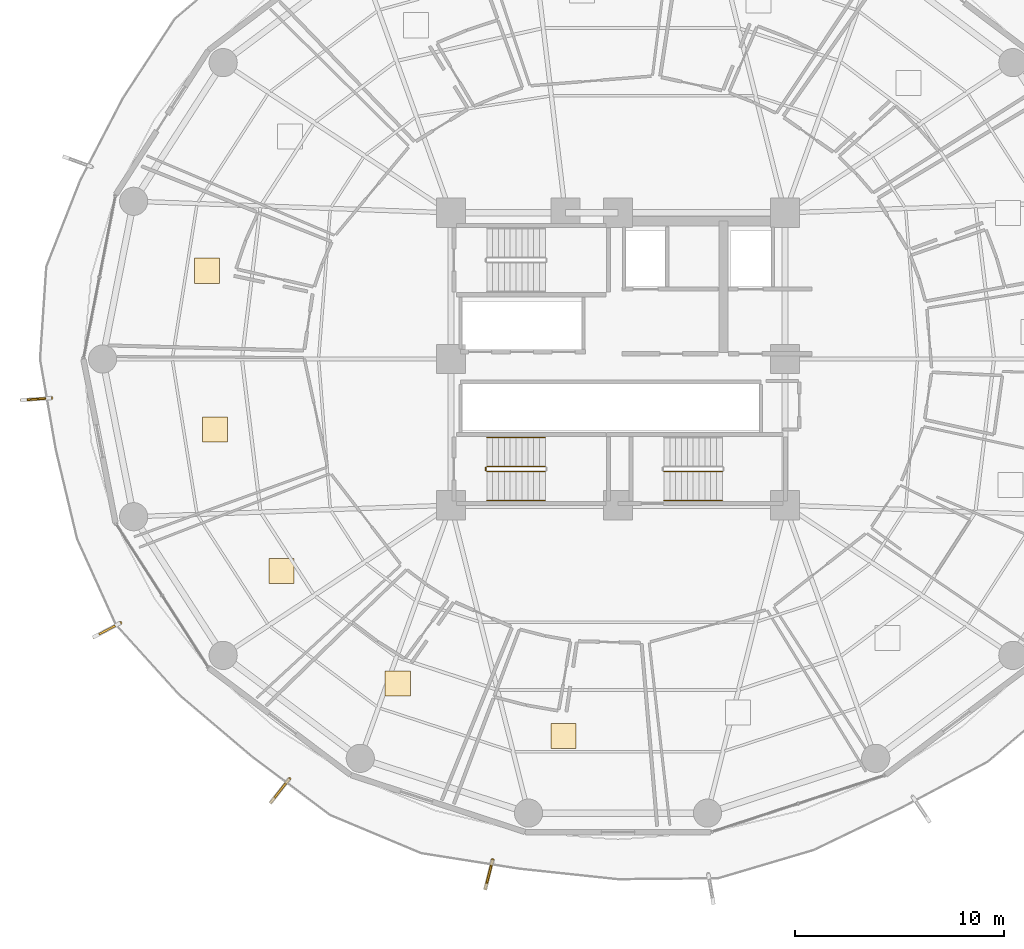
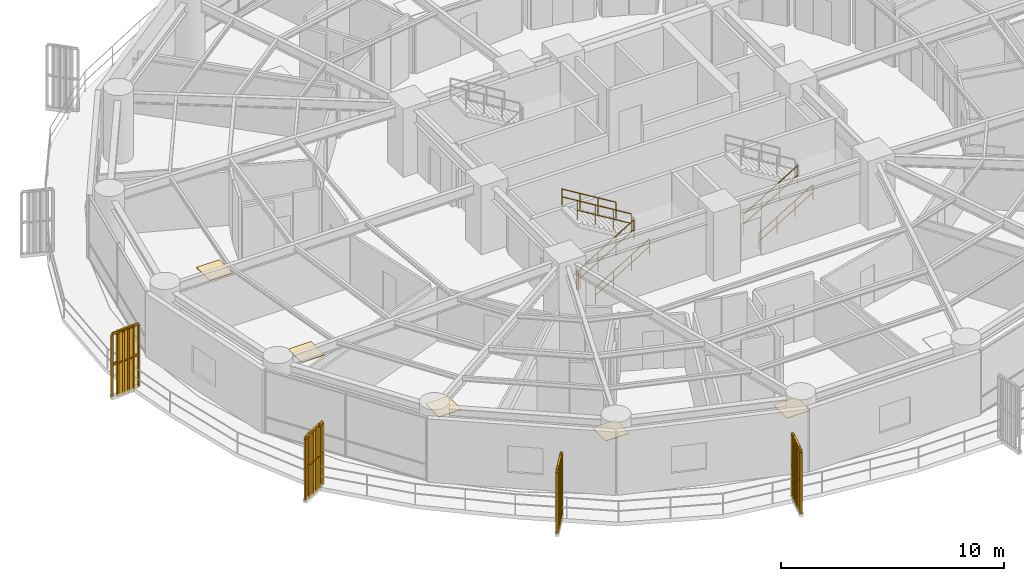
# One storey, part 31 of 34: 11 railings, 5 coverings, 4 shading devices.
"""IFC4 building model written with IfcOpenShell, lengths in metres."""

from ifc_helpers import new_model, si_unit, direction, frame, origin, origin_2d, place, context, subcontext, project, spatial, polyline, rectangle, outline, extrude, source, transform, mapped, material, layer, layer_set, type_object, element, save


model = new_model("IFC4")

# Units and contexts
model_context = context("Model", 3, precision=1e-05, world=origin(), true_north=direction((0.0, 1.0)))
body_context = subcontext(model_context, "Body", "Model", "MODEL_VIEW")
ifc_project = project(units=[si_unit("LENGTHUNIT", "METRE"), si_unit("AREAUNIT", "SQUARE_METRE"), si_unit("VOLUMEUNIT", "CUBIC_METRE"), si_unit("PLANEANGLEUNIT", "RADIAN"), si_unit("MASSUNIT", "GRAM", prefix="KILO")], contexts=[model_context])

# Site, building, storey
site_placement = place(None, origin())
site = spatial("IfcSite", under=ifc_project, at=site_placement, CompositionType="ELEMENT")
building_placement = place(site_placement, origin())
building = spatial("IfcBuilding", under=site, at=building_placement, Name="Kelanora Arch Commons", CompositionType="ELEMENT")
storey_placement = place(building_placement, frame((0.0, 0.0, 76.35009765625)))
storey = spatial("IfcBuildingStorey", under=building, at=storey_placement, Name="L19", CompositionType="ELEMENT", Elevation=76.35009765625)

# Railings
ifc_material_1 = material(Name="Anodised bronze vertical shading fin rib assembly")
railing_type_1 = type_object("IfcRailingType", Name="RAIL-FIN-BRZ", PredefinedType="BALUSTRADE", material=ifc_material_1)
railing_1_placement = place(storey_placement, frame((46.872314453125, 56.129638671875, -0.02001953125)))
element("IfcRailing", 1, at=railing_1_placement, inside=storey, type_object=railing_type_1, Name="Sweeping Bronze Vertical Fin Blade L19-06", PredefinedType="BALUSTRADE", context=body_context, shape_type="SweptSolid", body=[
    extrude(outline(polyline([(0.06982421875, 0.0), (0.034912109375, 0.060546875), (-0.034912109375, 0.060546875), (-0.06982421875, 0.0), (-0.034912109375, -0.060546875), (0.034912109375, -0.060546875), (0.06982421875, 0.0)])), frame((0.0, 0.0, 3.419921875), z_axis=(-0.997630732454, -0.068796232919, 0.0), x_axis=(0.068796232919, -0.997630732454, 0.0)), (0.0, 0.0, 1.0), 1.43017578125),
    extrude(outline(polyline([(0.06982421875, 0.0), (0.034912109375, 0.060546875), (-0.034912109375, 0.060546875), (-0.06982421875, 0.0), (-0.034912109375, -0.060546875), (0.034912109375, -0.060546875), (0.06982421875, 0.0)])), frame((0.0, 0.0, 1.7451171875), z_axis=(-0.997630732454, -0.068796232919, 0.0), x_axis=(0.068796232919, -0.997630732454, 0.0)), (0.0, 0.0, 1.0), 1.43017578125),
    extrude(outline(polyline([(0.080078125, 0.0), (0.0400390625, 0.0693359375), (-0.0400390625, 0.0693359375), (-0.080078125, 0.0), (-0.0400390625, -0.0693359375), (0.0400390625, -0.0693359375), (0.080078125, 0.0)])), origin(), (0.0, 0.0, 1.0), 3.35009765625),
    extrude(outline(polyline([(0.080078125, 0.0), (0.0400390625, 0.0693359375), (-0.0400390625, 0.0693359375), (-0.080078125, 0.0), (-0.0400390625, -0.0693359375), (0.0400390625, -0.0693359375), (0.080078125, 0.0)])), frame((-0.285400390625, -0.019775390625, 0.0)), (0.0, 0.0, 1.0), 3.35009765625),
    extrude(outline(polyline([(0.080078125, 0.0), (0.0400390625, 0.0693359375), (-0.0400390625, 0.0693359375), (-0.080078125, 0.0), (-0.0400390625, -0.0693359375), (0.0400390625, -0.0693359375), (0.080078125, 0.0)])), frame((-0.57080078125, -0.039306640625, 0.0)), (0.0, 0.0, 1.0), 3.35009765625),
    extrude(outline(polyline([(0.080078125, 0.0), (0.0400390625, 0.0693359375), (-0.0400390625, 0.0693359375), (-0.080078125, 0.0), (-0.0400390625, -0.0693359375), (0.0400390625, -0.0693359375), (0.080078125, 0.0)])), frame((-0.85595703125, -0.05908203125, 0.0)), (0.0, 0.0, 1.0), 3.35009765625),
    extrude(outline(polyline([(0.080078125, 0.0), (0.0400390625, 0.0693359375), (-0.0400390625, 0.0693359375), (-0.080078125, 0.0), (-0.0400390625, -0.0693359375), (0.0400390625, -0.0693359375), (0.080078125, 0.0)])), frame((-1.141357421875, -0.07861328125, 0.0)), (0.0, 0.0, 1.0), 3.35009765625),
    extrude(outline(polyline([(0.080078125, 0.0), (0.0400390625, 0.0693359375), (-0.0400390625, 0.0693359375), (-0.080078125, 0.0), (-0.0400390625, -0.0693359375), (0.0400390625, -0.0693359375), (0.080078125, 0.0)])), frame((-1.4267578125, -0.098388671875, 0.0)), (0.0, 0.0, 1.0), 3.35009765625),
])
railing_2_placement = place(storey_placement, frame((50.172119140625, 45.3603515625, -0.02001953125)))
element("IfcRailing", 2, at=railing_2_placement, inside=storey, type_object=railing_type_1, Name="Sweeping Bronze Vertical Fin Blade L19-07", PredefinedType="BALUSTRADE", context=body_context, shape_type="SweptSolid", body=[
    extrude(outline(polyline([(0.06982421875, 0.0), (0.034912109375, 0.060546875), (-0.034912109375, 0.060546875), (-0.06982421875, 0.0), (-0.034912109375, -0.060546875), (0.034912109375, -0.060546875), (0.06982421875, 0.0)])), frame((0.0, 0.0, 3.419921875), z_axis=(-0.88341392232, -0.468593471839, 0.0), x_axis=(0.468593471839, -0.88341392232, 0.0)), (0.0, 0.0, 1.0), 1.43017578125),
    extrude(outline(polyline([(0.06982421875, 0.0), (0.034912109375, 0.060546875), (-0.034912109375, 0.060546875), (-0.06982421875, 0.0), (-0.034912109375, -0.060546875), (0.034912109375, -0.060546875), (0.06982421875, 0.0)])), frame((0.0, 0.0, 1.7451171875), z_axis=(-0.88341392232, -0.468593471839, 0.0), x_axis=(0.468593471839, -0.88341392232, 0.0)), (0.0, 0.0, 1.0), 1.43017578125),
    extrude(outline(polyline([(0.080078125, 0.0), (0.0400390625, 0.0693359375), (-0.0400390625, 0.0693359375), (-0.080078125, 0.0), (-0.0400390625, -0.0693359375), (0.0400390625, -0.0693359375), (0.080078125, 0.0)])), origin(), (0.0, 0.0, 1.0), 3.35009765625),
    extrude(outline(polyline([(0.080078125, 0.0), (0.0400390625, 0.0693359375), (-0.0400390625, 0.0693359375), (-0.080078125, 0.0), (-0.0400390625, -0.0693359375), (0.0400390625, -0.0693359375), (0.080078125, 0.0)])), frame((-0.252685546875, -0.134033203125, 0.0)), (0.0, 0.0, 1.0), 3.35009765625),
    extrude(outline(polyline([(0.080078125, 0.0), (0.0400390625, 0.0693359375), (-0.0400390625, 0.0693359375), (-0.080078125, 0.0), (-0.0400390625, -0.0693359375), (0.0400390625, -0.0693359375), (0.080078125, 0.0)])), frame((-0.50537109375, -0.26806640625, 0.0)), (0.0, 0.0, 1.0), 3.35009765625),
    extrude(outline(polyline([(0.080078125, 0.0), (0.0400390625, 0.0693359375), (-0.0400390625, 0.0693359375), (-0.080078125, 0.0), (-0.0400390625, -0.0693359375), (0.0400390625, -0.0693359375), (0.080078125, 0.0)])), frame((-0.758056640625, -0.402099609375, 0.0)), (0.0, 0.0, 1.0), 3.35009765625),
    extrude(outline(polyline([(0.080078125, 0.0), (0.0400390625, 0.0693359375), (-0.0400390625, 0.0693359375), (-0.080078125, 0.0), (-0.0400390625, -0.0693359375), (0.0400390625, -0.0693359375), (0.080078125, 0.0)])), frame((-1.0107421875, -0.5361328125, 0.0)), (0.0, 0.0, 1.0), 3.35009765625),
    extrude(outline(polyline([(0.080078125, 0.0), (0.0400390625, 0.0693359375), (-0.0400390625, 0.0693359375), (-0.080078125, 0.0), (-0.0400390625, -0.0693359375), (0.0400390625, -0.0693359375), (0.080078125, 0.0)])), frame((-1.263427734375, -0.670166015625, 0.0)), (0.0, 0.0, 1.0), 3.35009765625),
])
railing_3_placement = place(storey_placement, frame((58.265869140625, 37.901611328125, -0.02001953125)))
element("IfcRailing", 3, at=railing_3_placement, inside=storey, type_object=railing_type_1, Name="Sweeping Bronze Vertical Fin Blade L19-08", PredefinedType="BALUSTRADE", context=body_context, shape_type="SweptSolid", body=[
    extrude(outline(polyline([(0.06982421875, 0.0), (0.034912109375, 0.060546875), (-0.034912109375, 0.060546875), (-0.06982421875, 0.0), (-0.034912109375, -0.060546875), (0.034912109375, -0.060546875), (0.06982421875, 0.0)])), frame((0.0, 0.0, 3.419921875), z_axis=(-0.616478569352, -0.787371687026, 0.0), x_axis=(0.787371687026, -0.616478569352, 0.0)), (0.0, 0.0, 1.0), 1.429931640625),
    extrude(outline(polyline([(0.06982421875, 0.0), (0.034912109375, 0.060546875), (-0.034912109375, 0.060546875), (-0.06982421875, 0.0), (-0.034912109375, -0.060546875), (0.034912109375, -0.060546875), (0.06982421875, 0.0)])), frame((0.0, 0.0, 1.7451171875), z_axis=(-0.616478569352, -0.787371687026, 0.0), x_axis=(0.787371687026, -0.616478569352, 0.0)), (0.0, 0.0, 1.0), 1.429931640625),
    extrude(outline(polyline([(0.080078125, 0.0), (0.0400390625, 0.0693359375), (-0.0400390625, 0.0693359375), (-0.080078125, 0.0), (-0.0400390625, -0.0693359375), (0.0400390625, -0.0693359375), (0.080078125, 0.0)])), origin(), (0.0, 0.0, 1.0), 3.35009765625),
    extrude(outline(polyline([(0.080078125, 0.0), (0.0400390625, 0.0693359375), (-0.0400390625, 0.0693359375), (-0.080078125, 0.0), (-0.0400390625, -0.0693359375), (0.0400390625, -0.0693359375), (0.080078125, 0.0)])), frame((-0.17626953125, -0.22509765625, 0.0)), (0.0, 0.0, 1.0), 3.35009765625),
    extrude(outline(polyline([(0.080078125, 0.0), (0.0400390625, 0.0693359375), (-0.0400390625, 0.0693359375), (-0.080078125, 0.0), (-0.0400390625, -0.0693359375), (0.0400390625, -0.0693359375), (0.080078125, 0.0)])), frame((-0.3525390625, -0.450439453125, 0.0)), (0.0, 0.0, 1.0), 3.35009765625),
    extrude(outline(polyline([(0.080078125, 0.0), (0.0400390625, 0.0693359375), (-0.0400390625, 0.0693359375), (-0.080078125, 0.0), (-0.0400390625, -0.0693359375), (0.0400390625, -0.0693359375), (0.080078125, 0.0)])), frame((-0.529052734375, -0.675537109375, 0.0)), (0.0, 0.0, 1.0), 3.35009765625),
    extrude(outline(polyline([(0.080078125, 0.0), (0.0400390625, 0.0693359375), (-0.0400390625, 0.0693359375), (-0.080078125, 0.0), (-0.0400390625, -0.0693359375), (0.0400390625, -0.0693359375), (0.080078125, 0.0)])), frame((-0.705322265625, -0.90087890625, 0.0)), (0.0, 0.0, 1.0), 3.35009765625),
    extrude(outline(polyline([(0.080078125, 0.0), (0.0400390625, 0.0693359375), (-0.0400390625, 0.0693359375), (-0.080078125, 0.0), (-0.0400390625, -0.0693359375), (0.0400390625, -0.0693359375), (0.080078125, 0.0)])), frame((-0.881591796875, -1.1259765625, 0.0)), (0.0, 0.0, 1.0), 3.35009765625),
])
railing_4_placement = place(storey_placement, frame((67.996826171875, 34.0224609375, -0.02001953125)))
element("IfcRailing", 4, at=railing_4_placement, inside=storey, type_object=railing_type_1, Name="Sweeping Bronze Vertical Fin Blade L19-09", PredefinedType="BALUSTRADE", context=body_context, shape_type="SweptSolid", body=[
    extrude(outline(polyline([(0.06982421875, 0.0), (0.034912109375, 0.060546875), (-0.034912109375, 0.060546875), (-0.06982421875, 0.0), (-0.034912109375, -0.060546875), (0.034912109375, -0.060546875), (0.06982421875, 0.0)])), frame((0.0, 0.0, 3.419921875), z_axis=(-0.242977541578, -0.970031914057, 0.0), x_axis=(0.970031914057, -0.242977541578, 0.0)), (0.0, 0.0, 1.0), 1.429931640625),
    extrude(outline(polyline([(0.06982421875, 0.0), (0.034912109375, 0.060546875), (-0.034912109375, 0.060546875), (-0.06982421875, 0.0), (-0.034912109375, -0.060546875), (0.034912109375, -0.060546875), (0.06982421875, 0.0)])), frame((0.0, 0.0, 1.7451171875), z_axis=(-0.242977541578, -0.970031914057, 0.0), x_axis=(0.970031914057, -0.242977541578, 0.0)), (0.0, 0.0, 1.0), 1.429931640625),
    extrude(outline(polyline([(0.080078125, 0.0), (0.0400390625, 0.0693359375), (-0.0400390625, 0.0693359375), (-0.080078125, 0.0), (-0.0400390625, -0.0693359375), (0.0400390625, -0.0693359375), (0.080078125, 0.0)])), origin(), (0.0, 0.0, 1.0), 3.35009765625),
    extrude(outline(polyline([(0.080078125, 0.0), (0.0400390625, 0.0693359375), (-0.0400390625, 0.0693359375), (-0.080078125, 0.0), (-0.0400390625, -0.0693359375), (0.0400390625, -0.0693359375), (0.080078125, 0.0)])), frame((-0.069580078125, -0.27734375, 0.0)), (0.0, 0.0, 1.0), 3.35009765625),
    extrude(outline(polyline([(0.080078125, 0.0), (0.0400390625, 0.0693359375), (-0.0400390625, 0.0693359375), (-0.080078125, 0.0), (-0.0400390625, -0.0693359375), (0.0400390625, -0.0693359375), (0.080078125, 0.0)])), frame((-0.138916015625, -0.5546875, 0.0)), (0.0, 0.0, 1.0), 3.35009765625),
    extrude(outline(polyline([(0.080078125, 0.0), (0.0400390625, 0.0693359375), (-0.0400390625, 0.0693359375), (-0.080078125, 0.0), (-0.0400390625, -0.0693359375), (0.0400390625, -0.0693359375), (0.080078125, 0.0)])), frame((-0.20849609375, -0.832275390625, 0.0)), (0.0, 0.0, 1.0), 3.35009765625),
    extrude(outline(polyline([(0.080078125, 0.0), (0.0400390625, 0.0693359375), (-0.0400390625, 0.0693359375), (-0.080078125, 0.0), (-0.0400390625, -0.0693359375), (0.0400390625, -0.0693359375), (0.080078125, 0.0)])), frame((-0.27783203125, -1.109619140625, 0.0)), (0.0, 0.0, 1.0), 3.35009765625),
    extrude(outline(polyline([(0.080078125, 0.0), (0.0400390625, 0.0693359375), (-0.0400390625, 0.0693359375), (-0.080078125, 0.0), (-0.0400390625, -0.0693359375), (0.0400390625, -0.0693359375), (0.080078125, 0.0)])), frame((-0.347412109375, -1.386962890625, 0.0)), (0.0, 0.0, 1.0), 3.35009765625),
])
ifc_material_2 = material(Name="Painted steel stair well guard", Category="steel")
railing_type_2 = type_object("IfcRailingType", Name="RAIL-STAIR-GRD", PredefinedType="GUARDRAIL", material=ifc_material_2)
railing_5_placement = place(storey_placement, frame((76.199951171875, 52.610107421875, 0.17041015625)))
element("IfcRailing", 5, at=railing_5_placement, inside=storey, type_object=railing_type_2, Name="L19 ST-T2 stair guard 1", PredefinedType="GUARDRAIL", context=body_context, shape_type="SweptSolid", body=[
    extrude(outline(polyline([(0.02392578125, 0.0), (0.011962890625, 0.020751953125), (-0.011962890625, 0.020751953125), (-0.02392578125, 0.0), (-0.011962890625, -0.020751953125), (0.011962890625, -0.020751953125), (0.02392578125, 0.0)])), frame((0.0, 0.0, 1.076171875), z_axis=(0.854169791009, 0.0, 0.51999420009), x_axis=(0.0, 1.0, 0.0)), (0.0, 0.0, 1.0), 3.278076171875),
    extrude(outline(polyline([(0.02392578125, 0.0), (0.011962890625, 0.020751953125), (-0.011962890625, 0.020751953125), (-0.02392578125, 0.0), (-0.011962890625, -0.020751953125), (0.011962890625, -0.020751953125), (0.02392578125, 0.0)])), frame((0.0, 0.0, 0.550048828125), z_axis=(0.854169791009, 0.0, 0.51999420009), x_axis=(0.0, 1.0, 0.0)), (0.0, 0.0, 1.0), 3.278076171875),
    extrude(outline(polyline([(0.02099609375, 0.0), (0.010498046875, 0.01806640625), (-0.010498046875, 0.01806640625), (-0.02099609375, 0.0), (-0.010498046875, -0.01806640625), (0.010498046875, -0.01806640625), (0.02099609375, 0.0)])), origin(), (0.0, 0.0, 1.0), 1.052001953125),
    extrude(outline(polyline([(0.02099609375, 0.0), (0.010498046875, 0.01806640625), (-0.010498046875, 0.01806640625), (-0.02099609375, 0.0), (-0.010498046875, -0.01806640625), (0.010498046875, -0.01806640625), (0.02099609375, 0.0)])), frame((0.933349609375, 0.0, 0.568115234375)), (0.0, 0.0, 1.0), 1.052001953125),
    extrude(outline(polyline([(0.02099609375, 0.0), (0.010498046875, 0.01806640625), (-0.010498046875, 0.01806640625), (-0.02099609375, 0.0), (-0.010498046875, -0.01806640625), (0.010498046875, -0.01806640625), (0.02099609375, 0.0)])), frame((1.86669921875, 0.0, 1.136474609375)), (0.0, 0.0, 1.0), 1.052001953125),
    extrude(outline(polyline([(0.02099609375, 0.0), (0.010498046875, 0.01806640625), (-0.010498046875, 0.01806640625), (-0.02099609375, 0.0), (-0.010498046875, -0.01806640625), (0.010498046875, -0.01806640625), (0.02099609375, 0.0)])), frame((2.800048828125, 0.0, 1.70458984375)), (0.0, 0.0, 1.0), 1.052001953125),
])
railing_6_placement = place(storey_placement, frame((67.719970703125, 52.610107421875, 0.17041015625)))
element("IfcRailing", 6, at=railing_6_placement, inside=storey, type_object=railing_type_2, Name="L19 ST-T3 stair guard 1", PredefinedType="GUARDRAIL", context=body_context, shape_type="SweptSolid", body=[
    extrude(outline(polyline([(0.02392578125, 0.0), (0.011962890625, 0.020751953125), (-0.011962890625, 0.020751953125), (-0.02392578125, 0.0), (-0.011962890625, -0.020751953125), (0.011962890625, -0.020751953125), (0.02392578125, 0.0)])), frame((0.0, 0.0, 1.076171875), z_axis=(0.854169791009, 0.0, 0.51999420009), x_axis=(0.0, 1.0, 0.0)), (0.0, 0.0, 1.0), 3.278076171875),
    extrude(outline(polyline([(0.02392578125, 0.0), (0.011962890625, 0.020751953125), (-0.011962890625, 0.020751953125), (-0.02392578125, 0.0), (-0.011962890625, -0.020751953125), (0.011962890625, -0.020751953125), (0.02392578125, 0.0)])), frame((0.0, 0.0, 0.550048828125), z_axis=(0.854169791009, 0.0, 0.51999420009), x_axis=(0.0, 1.0, 0.0)), (0.0, 0.0, 1.0), 3.278076171875),
    extrude(outline(polyline([(0.02099609375, 0.0), (0.010498046875, 0.01806640625), (-0.010498046875, 0.01806640625), (-0.02099609375, 0.0), (-0.010498046875, -0.01806640625), (0.010498046875, -0.01806640625), (0.02099609375, 0.0)])), origin(), (0.0, 0.0, 1.0), 1.052001953125),
    extrude(outline(polyline([(0.02099609375, 0.0), (0.010498046875, 0.01806640625), (-0.010498046875, 0.01806640625), (-0.02099609375, 0.0), (-0.010498046875, -0.01806640625), (0.010498046875, -0.01806640625), (0.02099609375, 0.0)])), frame((0.933349609375, 0.0, 0.568115234375)), (0.0, 0.0, 1.0), 1.052001953125),
    extrude(outline(polyline([(0.02099609375, 0.0), (0.010498046875, 0.01806640625), (-0.010498046875, 0.01806640625), (-0.02099609375, 0.0), (-0.010498046875, -0.01806640625), (0.010498046875, -0.01806640625), (0.02099609375, 0.0)])), frame((1.86669921875, 0.0, 1.136474609375)), (0.0, 0.0, 1.0), 1.052001953125),
    extrude(outline(polyline([(0.02099609375, 0.0), (0.010498046875, 0.01806640625), (-0.010498046875, 0.01806640625), (-0.02099609375, 0.0), (-0.010498046875, -0.01806640625), (0.010498046875, -0.01806640625), (0.02099609375, 0.0)])), frame((2.800048828125, 0.0, 1.70458984375)), (0.0, 0.0, 1.0), 1.052001953125),
])
railing_7_placement = place(storey_placement, frame((70.52001953125, 52.860107421875, 2.04541015625)))
element("IfcRailing", 7, at=railing_7_placement, inside=storey, type_object=railing_type_2, Name="L19 ST-T3 stair guard 3", PredefinedType="GUARDRAIL", context=body_context, shape_type="SweptSolid", body=[
    extrude(outline(polyline([(0.02392578125, 0.0), (0.011962890625, 0.020751953125), (-0.011962890625, 0.020751953125), (-0.02392578125, 0.0), (-0.011962890625, -0.020751953125), (0.011962890625, -0.020751953125), (0.02392578125, 0.0)])), frame((0.0, 0.0, 1.076171875), z_axis=(-0.854169791009, 0.0, 0.51999420009), x_axis=(0.0, -1.0, 0.0)), (0.0, 0.0, 1.0), 3.278076171875),
    extrude(outline(polyline([(0.02392578125, 0.0), (0.011962890625, 0.020751953125), (-0.011962890625, 0.020751953125), (-0.02392578125, 0.0), (-0.011962890625, -0.020751953125), (0.011962890625, -0.020751953125), (0.02392578125, 0.0)])), frame((0.0, 0.0, 0.550048828125), z_axis=(-0.854169791009, 0.0, 0.51999420009), x_axis=(0.0, -1.0, 0.0)), (0.0, 0.0, 1.0), 3.278076171875),
    extrude(outline(polyline([(0.02099609375, 0.0), (0.010498046875, 0.01806640625), (-0.010498046875, 0.01806640625), (-0.02099609375, 0.0), (-0.010498046875, -0.01806640625), (0.010498046875, -0.01806640625), (0.02099609375, 0.0)])), origin(), (0.0, 0.0, 1.0), 1.052001953125),
    extrude(outline(polyline([(0.02099609375, 0.0), (0.010498046875, 0.01806640625), (-0.010498046875, 0.01806640625), (-0.02099609375, 0.0), (-0.010498046875, -0.01806640625), (0.010498046875, -0.01806640625), (0.02099609375, 0.0)])), frame((-0.933349609375, 0.0, 0.568115234375)), (0.0, 0.0, 1.0), 1.052001953125),
    extrude(outline(polyline([(0.02099609375, 0.0), (0.010498046875, 0.01806640625), (-0.010498046875, 0.01806640625), (-0.02099609375, 0.0), (-0.010498046875, -0.01806640625), (0.010498046875, -0.01806640625), (0.02099609375, 0.0)])), frame((-1.86669921875, 0.0, 1.136474609375)), (0.0, 0.0, 1.0), 1.052001953125),
    extrude(outline(polyline([(0.02099609375, 0.0), (0.010498046875, 0.01806640625), (-0.010498046875, 0.01806640625), (-0.02099609375, 0.0), (-0.010498046875, -0.01806640625), (0.010498046875, -0.01806640625), (0.02099609375, 0.0)])), frame((-2.800048828125, 0.0, 1.70458984375)), (0.0, 0.0, 1.0), 1.052001953125),
])
railing_8_placement = place(storey_placement, frame((67.669921875, 52.659912109375, 0.0)))
element("IfcRailing", 8, at=railing_8_placement, inside=storey, type_object=railing_type_2, Name="L19 ST-T3 stair guard 4", PredefinedType="GUARDRAIL", context=body_context, shape_type="SweptSolid", body=[
    extrude(outline(polyline([(0.02392578125, 0.0), (0.011962890625, 0.020751953125), (-0.011962890625, 0.020751953125), (-0.02392578125, 0.0), (-0.011962890625, -0.020751953125), (0.011962890625, -0.020751953125), (0.02392578125, 0.0)])), frame((0.0, 0.0, 1.076171875), z_axis=(0.0, 1.0, 0.0), x_axis=(-1.0, 0.0, 0.0)), (0.0, 0.0, 1.0), 0.150146484375),
    extrude(outline(polyline([(0.02392578125, 0.0), (0.011962890625, 0.020751953125), (-0.011962890625, 0.020751953125), (-0.02392578125, 0.0), (-0.011962890625, -0.020751953125), (0.011962890625, -0.020751953125), (0.02392578125, 0.0)])), frame((0.0, 0.0, 0.550048828125), z_axis=(0.0, 1.0, 0.0), x_axis=(-1.0, 0.0, 0.0)), (0.0, 0.0, 1.0), 0.150146484375),
    extrude(outline(polyline([(0.02099609375, 0.0), (0.010498046875, 0.01806640625), (-0.010498046875, 0.01806640625), (-0.02099609375, 0.0), (-0.010498046875, -0.01806640625), (0.010498046875, -0.01806640625), (0.02099609375, 0.0)])), origin(), (0.0, 0.0, 1.0), 1.052001953125),
    extrude(outline(polyline([(0.02099609375, 0.0), (0.010498046875, 0.01806640625), (-0.010498046875, 0.01806640625), (-0.02099609375, 0.0), (-0.010498046875, -0.01806640625), (0.010498046875, -0.01806640625), (0.02099609375, 0.0)])), frame((0.0, 0.150146484375, 0.0)), (0.0, 0.0, 1.0), 1.052001953125),
])
ifc_material_3 = material(Name="Brushed stainless steel stair handrail", Category="steel")
railing_type_3 = type_object("IfcRailingType", Name="RAIL-STAIR-HND", PredefinedType="HANDRAIL", material=ifc_material_3)
railing_9_placement = place(storey_placement, frame((76.199951171875, 51.22998046875, 0.17041015625)))
element("IfcRailing", 9, at=railing_9_placement, inside=storey, type_object=railing_type_3, Name="L19 ST-T2 stair handrail 1", PredefinedType="HANDRAIL", context=body_context, shape_type="SweptSolid", body=[
    extrude(outline(polyline([(0.02392578125, 0.0), (0.011962890625, 0.020751953125), (-0.011962890625, 0.020751953125), (-0.02392578125, 0.0), (-0.011962890625, -0.020751953125), (0.011962890625, -0.020751953125), (0.02392578125, 0.0)])), frame((0.0, 0.0, 0.8759765625), z_axis=(0.854169791009, 0.0, 0.51999420009), x_axis=(0.0, 1.0, 0.0)), (0.0, 0.0, 1.0), 3.278076171875),
    extrude(outline(polyline([(0.02392578125, 0.0), (0.011962890625, 0.020751953125), (-0.011962890625, 0.020751953125), (-0.02392578125, 0.0), (-0.011962890625, -0.020751953125), (0.011962890625, -0.020751953125), (0.02392578125, 0.0)])), frame((0.0, 0.0, 0.449951171875), z_axis=(0.854169791009, 0.0, 0.51999420009), x_axis=(0.0, 1.0, 0.0)), (0.0, 0.0, 1.0), 3.278076171875),
    extrude(outline(polyline([(0.02099609375, 0.0), (0.010498046875, 0.01806640625), (-0.010498046875, 0.01806640625), (-0.02099609375, 0.0), (-0.010498046875, -0.01806640625), (0.010498046875, -0.01806640625), (0.02099609375, 0.0)])), origin(), (0.0, 0.0, 1.0), 0.851806640625),
    extrude(outline(polyline([(0.02099609375, 0.0), (0.010498046875, 0.01806640625), (-0.010498046875, 0.01806640625), (-0.02099609375, 0.0), (-0.010498046875, -0.01806640625), (0.010498046875, -0.01806640625), (0.02099609375, 0.0)])), frame((0.933349609375, 0.0, 0.568115234375)), (0.0, 0.0, 1.0), 0.851806640625),
    extrude(outline(polyline([(0.02099609375, 0.0), (0.010498046875, 0.01806640625), (-0.010498046875, 0.01806640625), (-0.02099609375, 0.0), (-0.010498046875, -0.01806640625), (0.010498046875, -0.01806640625), (0.02099609375, 0.0)])), frame((1.86669921875, 0.0, 1.136474609375)), (0.0, 0.0, 1.0), 0.851806640625),
    extrude(outline(polyline([(0.02099609375, 0.0), (0.010498046875, 0.01806640625), (-0.010498046875, 0.01806640625), (-0.02099609375, 0.0), (-0.010498046875, -0.01806640625), (0.010498046875, -0.01806640625), (0.02099609375, 0.0)])), frame((2.800048828125, 0.0, 1.70458984375)), (0.0, 0.0, 1.0), 0.851806640625),
])
railing_10_placement = place(storey_placement, frame((67.719970703125, 51.22998046875, 0.17041015625)))
element("IfcRailing", 10, at=railing_10_placement, inside=storey, type_object=railing_type_3, Name="L19 ST-T3 stair handrail 1", PredefinedType="HANDRAIL", context=body_context, shape_type="SweptSolid", body=[
    extrude(outline(polyline([(0.02392578125, 0.0), (0.011962890625, 0.020751953125), (-0.011962890625, 0.020751953125), (-0.02392578125, 0.0), (-0.011962890625, -0.020751953125), (0.011962890625, -0.020751953125), (0.02392578125, 0.0)])), frame((0.0, 0.0, 0.8759765625), z_axis=(0.854169791009, 0.0, 0.51999420009), x_axis=(0.0, 1.0, 0.0)), (0.0, 0.0, 1.0), 3.278076171875),
    extrude(outline(polyline([(0.02392578125, 0.0), (0.011962890625, 0.020751953125), (-0.011962890625, 0.020751953125), (-0.02392578125, 0.0), (-0.011962890625, -0.020751953125), (0.011962890625, -0.020751953125), (0.02392578125, 0.0)])), frame((0.0, 0.0, 0.449951171875), z_axis=(0.854169791009, 0.0, 0.51999420009), x_axis=(0.0, 1.0, 0.0)), (0.0, 0.0, 1.0), 3.278076171875),
    extrude(outline(polyline([(0.02099609375, 0.0), (0.010498046875, 0.01806640625), (-0.010498046875, 0.01806640625), (-0.02099609375, 0.0), (-0.010498046875, -0.01806640625), (0.010498046875, -0.01806640625), (0.02099609375, 0.0)])), origin(), (0.0, 0.0, 1.0), 0.851806640625),
    extrude(outline(polyline([(0.02099609375, 0.0), (0.010498046875, 0.01806640625), (-0.010498046875, 0.01806640625), (-0.02099609375, 0.0), (-0.010498046875, -0.01806640625), (0.010498046875, -0.01806640625), (0.02099609375, 0.0)])), frame((0.933349609375, 0.0, 0.568115234375)), (0.0, 0.0, 1.0), 0.851806640625),
    extrude(outline(polyline([(0.02099609375, 0.0), (0.010498046875, 0.01806640625), (-0.010498046875, 0.01806640625), (-0.02099609375, 0.0), (-0.010498046875, -0.01806640625), (0.010498046875, -0.01806640625), (0.02099609375, 0.0)])), frame((1.86669921875, 0.0, 1.136474609375)), (0.0, 0.0, 1.0), 0.851806640625),
    extrude(outline(polyline([(0.02099609375, 0.0), (0.010498046875, 0.01806640625), (-0.010498046875, 0.01806640625), (-0.02099609375, 0.0), (-0.010498046875, -0.01806640625), (0.010498046875, -0.01806640625), (0.02099609375, 0.0)])), frame((2.800048828125, 0.0, 1.70458984375)), (0.0, 0.0, 1.0), 0.851806640625),
])
railing_11_placement = place(storey_placement, frame((70.52001953125, 54.239990234375, 2.04541015625)))
element("IfcRailing", 11, at=railing_11_placement, inside=storey, type_object=railing_type_3, Name="L19 ST-T3 stair handrail 2", PredefinedType="HANDRAIL", context=body_context, shape_type="SweptSolid", body=[
    extrude(outline(polyline([(0.02392578125, 0.0), (0.011962890625, 0.020751953125), (-0.011962890625, 0.020751953125), (-0.02392578125, 0.0), (-0.011962890625, -0.020751953125), (0.011962890625, -0.020751953125), (0.02392578125, 0.0)])), frame((0.0, 0.0, 0.8759765625), z_axis=(-0.854169791009, 0.0, 0.51999420009), x_axis=(0.0, -1.0, 0.0)), (0.0, 0.0, 1.0), 3.278076171875),
    extrude(outline(polyline([(0.02392578125, 0.0), (0.011962890625, 0.020751953125), (-0.011962890625, 0.020751953125), (-0.02392578125, 0.0), (-0.011962890625, -0.020751953125), (0.011962890625, -0.020751953125), (0.02392578125, 0.0)])), frame((0.0, 0.0, 0.449951171875), z_axis=(-0.854169791009, 0.0, 0.51999420009), x_axis=(0.0, -1.0, 0.0)), (0.0, 0.0, 1.0), 3.278076171875),
    extrude(outline(polyline([(0.02099609375, 0.0), (0.010498046875, 0.01806640625), (-0.010498046875, 0.01806640625), (-0.02099609375, 0.0), (-0.010498046875, -0.01806640625), (0.010498046875, -0.01806640625), (0.02099609375, 0.0)])), origin(), (0.0, 0.0, 1.0), 0.851806640625),
    extrude(outline(polyline([(0.02099609375, 0.0), (0.010498046875, 0.01806640625), (-0.010498046875, 0.01806640625), (-0.02099609375, 0.0), (-0.010498046875, -0.01806640625), (0.010498046875, -0.01806640625), (0.02099609375, 0.0)])), frame((-0.933349609375, 0.0, 0.568115234375)), (0.0, 0.0, 1.0), 0.851806640625),
    extrude(outline(polyline([(0.02099609375, 0.0), (0.010498046875, 0.01806640625), (-0.010498046875, 0.01806640625), (-0.02099609375, 0.0), (-0.010498046875, -0.01806640625), (0.010498046875, -0.01806640625), (0.02099609375, 0.0)])), frame((-1.86669921875, 0.0, 1.136474609375)), (0.0, 0.0, 1.0), 0.851806640625),
    extrude(outline(polyline([(0.02099609375, 0.0), (0.010498046875, 0.01806640625), (-0.010498046875, 0.01806640625), (-0.02099609375, 0.0), (-0.010498046875, -0.01806640625), (0.010498046875, -0.01806640625), (0.02099609375, 0.0)])), frame((-2.800048828125, 0.0, 1.70458984375)), (0.0, 0.0, 1.0), 0.851806640625),
])

# Shading devices
ifc_material_4 = material(Name="Terracotta ceramic-clad extruded aluminium fin", Category="masonry")
shading_device_type = type_object("IfcShadingDeviceType", Name="SHD-FIN-FLARE", PredefinedType="USERDEFINED", material=ifc_material_4)
shared_shape_1 = source(origin(), body_context, "Body", "SweptSolid", [
    extrude(rectangle(XDim=0.8798828125, YDim=0.090087890625, at=origin_2d()), origin(), (0.0, 0.0, 1.0), 3.610107421875),
])
for number, where, z_axis, x_axis, name in (
    (12, (46.15380859375, 56.080078125, -0.14013671875), (0.0, 0.0, 1.0), (-0.997636552079, -0.068711789056, 0.0), "Sweeping Terracotta Fin L19-06"),
    (13, (49.535888671875, 45.02294921875, -0.14013671875), (0.0, 0.0, 1.0), (-0.88343873811, -0.468546684981, 0.0), "Sweeping Terracotta Fin L19-07"),
    (14, (57.822021484375, 37.334716796875, -0.14013671875), (0.0, 0.0, 1.0), (-0.616486340532, -0.78736560246, 0.0), "Sweeping Terracotta Fin L19-08"),
    (15, (67.822021484375, 33.32421875, -0.14013671875), (0.0, 0.0, 1.0), (-0.242937854074, -0.970041854282, 0.0), "Sweeping Terracotta Fin L19-09"),
):
    element("IfcShadingDevice", number, at=place(storey_placement, frame(where, z_axis=z_axis, x_axis=x_axis)), inside=storey, type_object=shading_device_type, Name=name, ObjectType="FIN", PredefinedType="USERDEFINED", context=body_context, shape_type="MappedRepresentation", body=[
        mapped(shared_shape_1, transform((0.0, 0.0, 0.0), scale=1.0)),
    ])

# Coverings
ifc_material_5 = material(Name="Polished local granite terrazzo flooring", Category="masonry")
ifc_layer = layer(ifc_material_5, 0.030029296875)
ifc_layer_set = layer_set([ifc_layer], Name="Polished local granite terrazzo flooring")
covering_type = type_object("IfcCoveringType", Name="COV-FLR-TER", PredefinedType="FLOORING", material=ifc_layer_set)
shared_shape_2 = source(origin(), body_context, "Body", "SweptSolid", [
    extrude(rectangle(XDim=1.199951171875, YDim=1.199951171875, at=origin_2d()), origin(), (0.0, 0.0, 1.0), 0.030029296875),
])
for number, where, z_axis, x_axis, name in (
    (16, (54.328857421875, 62.2255859375, 0.0), (0.0, 0.0, 1.0), (1.0, 0.0, 0.0), "Co-Living Studio L19-07 Terrazzo Finish"),
    (17, (54.695068359375, 54.62158203125, 0.0), (0.0, 0.0, 1.0), (1.0, 0.0, 0.0), "Quiet Seminar Study Room L19-08 Terrazzo Finish"),
    (18, (57.890380859375, 47.8447265625, 0.0), (0.0, 0.0, 1.0), (1.0, 0.0, 0.0), "Communal Dining and Social Hall L19-09 Terrazzo Finish"),
    (19, (63.453125, 42.469970703125, 0.0), (0.0, 0.0, 1.0), (1.0, 0.0, 0.0), "Co-Living Studio L19-10 Terrazzo Finish"),
    (20, (71.384033203125, 39.95263671875, 0.0), (0.0, 0.0, 1.0), (1.0, 0.0, 0.0), "Co-Living Studio L19-11 Terrazzo Finish"),
):
    element("IfcCovering", number, at=place(storey_placement, frame(where, z_axis=z_axis, x_axis=x_axis)), inside=storey, type_object=covering_type, Name=name, PredefinedType="FLOORING", context=body_context, shape_type="MappedRepresentation", body=[
        mapped(shared_shape_2, transform((0.0, 0.0, 0.0), scale=1.0)),
    ])

save(model, "model.ifc")
